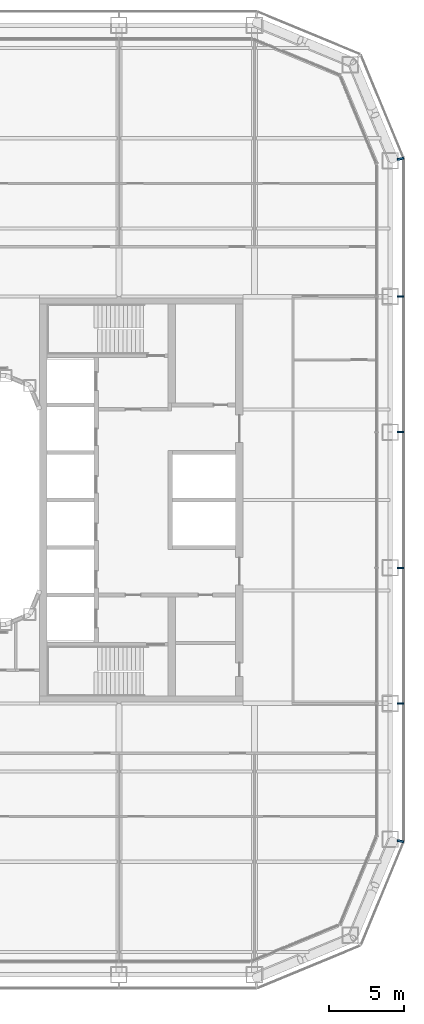
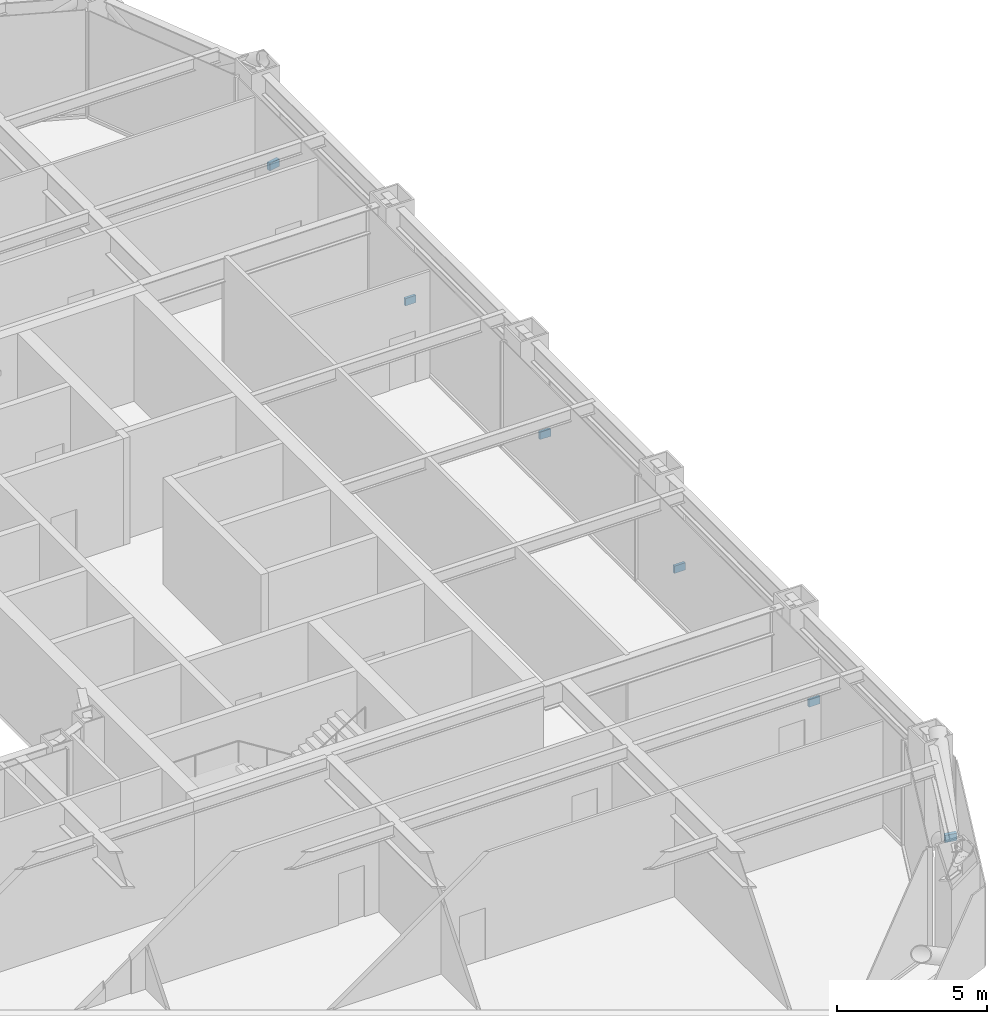
# One storey, part 18 of 24: 6 discrete accessories.
"""IFC4 building model written with IfcOpenShell, lengths in metres."""

from ifc_helpers import new_model, si_unit, direction, frame, origin, origin_2d, place, context, subcontext, project, spatial, rectangle, extrude, material, type_object, element, save


model = new_model("IFC4")

# Units and contexts
model_context = context("Model", 3, precision=1e-05, world=origin(), true_north=direction((0.0, 1.0)))
body_context = subcontext(model_context, "Body", "Model", "MODEL_VIEW")
ifc_project = project(units=[si_unit("LENGTHUNIT", "METRE"), si_unit("AREAUNIT", "SQUARE_METRE"), si_unit("VOLUMEUNIT", "CUBIC_METRE"), si_unit("PLANEANGLEUNIT", "RADIAN"), si_unit("MASSUNIT", "GRAM", prefix="KILO")], contexts=[model_context])

# Site, building, storey
site_placement = place(None, origin())
site = spatial("IfcSite", under=ifc_project, at=site_placement, CompositionType="ELEMENT")
building_placement = place(site_placement, origin())
building = spatial("IfcBuilding", under=site, at=building_placement, Name="Siwar Civic Tower", CompositionType="ELEMENT")
storey_placement = place(building_placement, frame((0.0, 0.0, 40.199951171875)))
storey = spatial("IfcBuildingStorey", under=building, at=storey_placement, Name="L08", CompositionType="ELEMENT", Elevation=40.199951171875)

# Discrete accessories
ifc_material = material(Name="Stainless steel 316", Category="steel")
discrete_accessory_type = type_object("IfcDiscreteAccessoryType", Name="ENV-BRACKET", PredefinedType="BRACKET", material=ifc_material)
for number, where, z_axis, x_axis, name in (
    (1, (32.18994140625, -13.5, -0.14990234375), (0.0, 0.0, 1.0), (1.0, 0.0, 0.0), "Bracket outer skin joint E-01"),
    (2, (32.18994140625, -4.5, -0.14990234375), (0.0, 0.0, 1.0), (1.0, 0.0, 0.0), "Bracket outer skin joint E-02"),
    (3, (32.18994140625, 4.5, -0.14990234375), (0.0, 0.0, 1.0), (1.0, 0.0, 0.0), "Bracket outer skin joint E-03"),
    (4, (32.18994140625, 13.5, -0.14990234375), (0.0, 0.0, 1.0), (1.0, 0.0, 0.0), "Bracket outer skin joint E-04"),
):
    element("IfcDiscreteAccessory", number, at=place(storey_placement, frame(where, z_axis=z_axis, x_axis=x_axis)), inside=storey, type_object=discrete_accessory_type, Name=name, PredefinedType="BRACKET", context=body_context, shape_type="SweptSolid", body=[
        extrude(rectangle(XDim=0.419921875, YDim=0.10009765625, at=origin_2d()), origin(), (0.0, 0.0, 1.0), 0.300048828125),
    ])
for number, where, z_axis, x_axis, name in (
    (5, (32.190185546875, -22.63720703125, -0.14990234375), (0.0, 0.0, 1.0), (0.980785280403, -0.195090322016, 0.0), "Bracket outer skin joint V03"),
    (6, (32.190185546875, 22.63720703125, -0.14990234375), (0.0, 0.0, 1.0), (0.980785280403, 0.195090322016, 0.0), "Bracket outer skin joint V04"),
):
    element("IfcDiscreteAccessory", number, at=place(storey_placement, frame(where, z_axis=z_axis, x_axis=x_axis)), inside=storey, type_object=discrete_accessory_type, Name=name, PredefinedType="BRACKET", context=body_context, shape_type="SweptSolid", body=[
        extrude(rectangle(XDim=0.427734375, YDim=0.13720703125, at=origin_2d()), origin(), (0.0, 0.0, 1.0), 0.300048828125),
    ])

save(model, "model.ifc")
